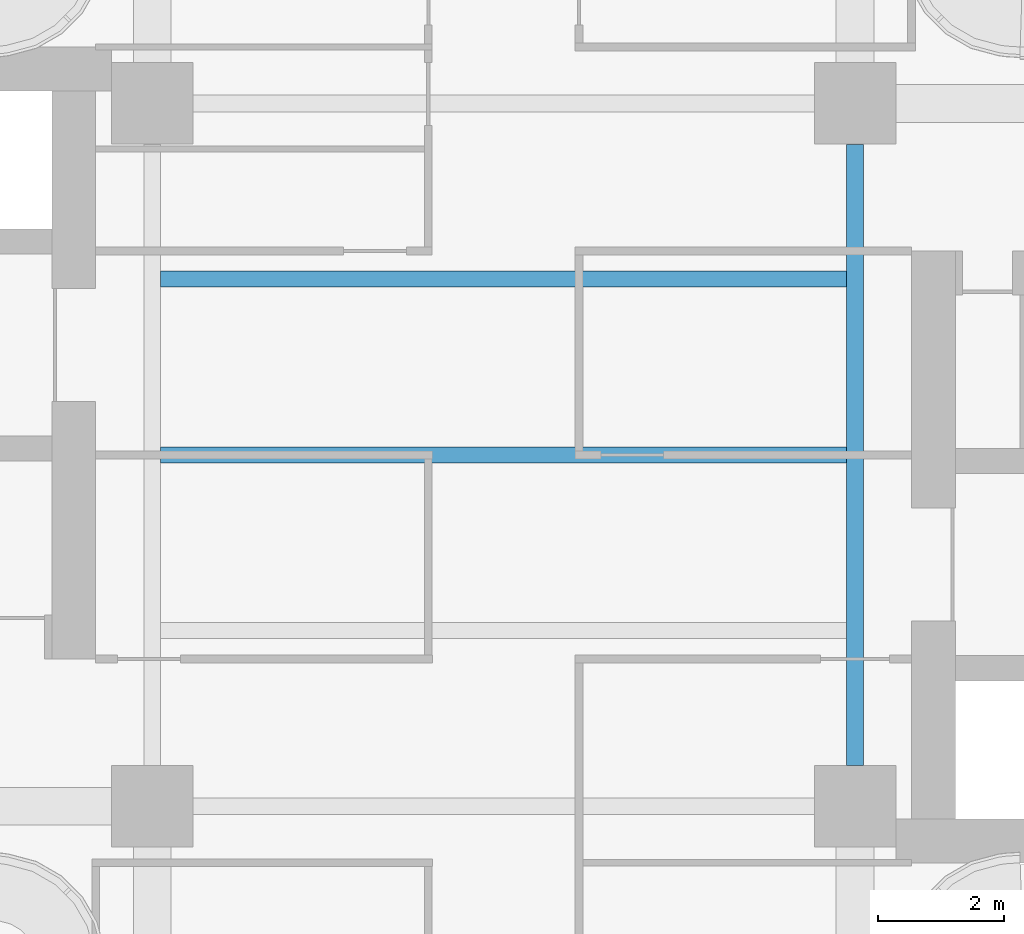
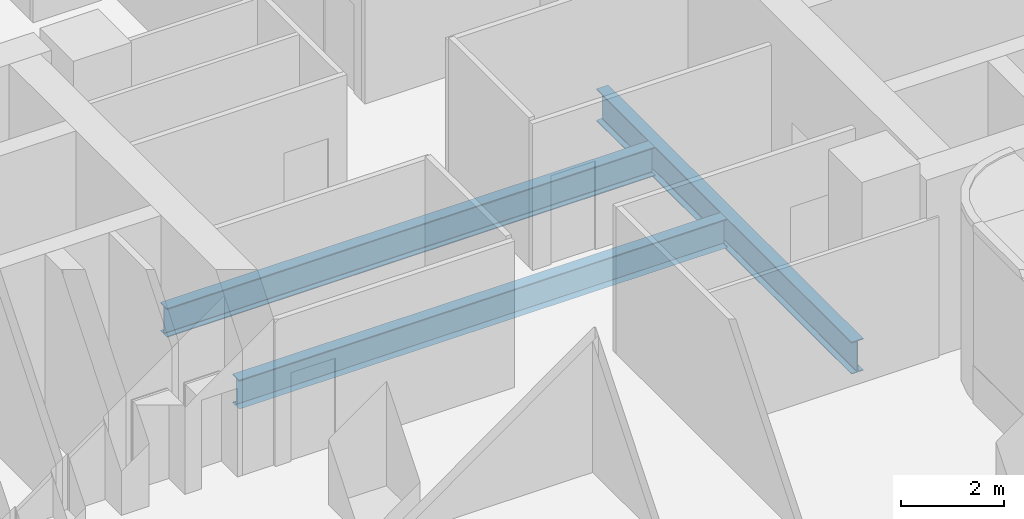
# One storey, part 6 of 21: 3 beams.
"""IFC4 building model written with IfcOpenShell, lengths in metres."""

from ifc_helpers import new_model, si_unit, direction, frame, origin, origin_2d, place, context, subcontext, project, spatial, i_section, extrude, source, transform, mapped, material, material_profile, profile_set, type_object, element, save


model = new_model("IFC4")

# Units and contexts
model_context = context("Model", 3, precision=1e-05, world=origin(), true_north=direction((0.0, 1.0)))
body_context = subcontext(model_context, "Body", "Model", "MODEL_VIEW")
ifc_project = project(units=[si_unit("LENGTHUNIT", "METRE"), si_unit("AREAUNIT", "SQUARE_METRE"), si_unit("VOLUMEUNIT", "CUBIC_METRE"), si_unit("PLANEANGLEUNIT", "RADIAN"), si_unit("MASSUNIT", "GRAM", prefix="KILO")], contexts=[model_context])

# Site, building, storey
site_placement = place(None, origin())
site = spatial("IfcSite", under=ifc_project, at=site_placement, CompositionType="ELEMENT")
building_placement = place(site_placement, origin())
building = spatial("IfcBuilding", under=site, at=building_placement, Name="Trellis Farm Tower", CompositionType="ELEMENT")
storey_placement = place(building_placement, frame((0.0, 0.0, 115.5)))
storey = spatial("IfcBuildingStorey", under=building, at=storey_placement, Name="L24", CompositionType="ELEMENT", Elevation=115.5)

# Beams
ifc_material = material(Name="Steel S355", Category="steel")
ifc_material_profile_1 = material_profile(ifc_material, i_section(OverallWidth=0.253662109375, OverallDepth=0.68359375, WebThickness=0.012451171875, FlangeThickness=0.021728515625, FilletRadius=0.01513671875, at=origin_2d()), Name="UB 686x254x140")
ifc_profile_set_1 = profile_set([ifc_material_profile_1], Name="Steel S355")
beam_type_1 = type_object("IfcBeamType", Name="UB 686x254x140 joist", PredefinedType="JOIST", material=ifc_profile_set_1)
shared_shape_1 = source(origin(), body_context, "Body", "SweptSolid", [
    extrude(i_section(OverallWidth=0.253662109375, OverallDepth=0.68359375, WebThickness=0.012451171875, FlangeThickness=0.021728515625, FilletRadius=0.01513671875, at=origin_2d()), origin(), (0.0, 0.0, 1.0), 10.93310546875),
])
for number, where, z_axis, x_axis, name in (
    (1, (-5.466552734375, 0.0, -0.591796875), (1.0, 0.0, 0.0), (0.0, 1.0, 0.0), "Floor beam"),
    (2, (-5.466552734375, 2.800048828125, -0.591796875), (1.0, 0.0, 0.0), (0.0, 1.0, 0.0), "Floor beam"),
):
    element("IfcBeam", number, at=place(storey_placement, frame(where, z_axis=z_axis, x_axis=x_axis)), inside=storey, type_object=beam_type_1, Name=name, PredefinedType="JOIST", context=body_context, shape_type="MappedRepresentation", body=[
        mapped(shared_shape_1, transform((0.0, 0.0, 0.0))),
    ])
ifc_material_profile_2 = material_profile(ifc_material, i_section(OverallWidth=0.2666015625, OverallDepth=0.76220703125, WebThickness=0.014404296875, FlangeThickness=0.021484375, FilletRadius=0.0166015625, at=origin_2d()), Name="UB 762x267x173")
ifc_profile_set_2 = profile_set([ifc_material_profile_2], Name="Steel S355")
beam_type_2 = type_object("IfcBeamType", Name="UB 762x267x173", PredefinedType="BEAM", material=ifc_profile_set_2)
shared_shape_2 = source(origin(), body_context, "Body", "SweptSolid", [
    extrude(i_section(OverallWidth=0.2666015625, OverallDepth=0.76220703125, WebThickness=0.014404296875, FlangeThickness=0.021484375, FilletRadius=0.0166015625, at=origin_2d()), origin(), (0.0, 0.0, 1.0), 9.89990234375),
])
beam_placement = place(storey_placement, frame((5.60009765625, -4.949951171875, -0.631103515625), z_axis=(0.0, 1.0, 0.0), x_axis=(-1.0, 0.0, 0.0)))
element("IfcBeam", 3, at=beam_placement, inside=storey, type_object=beam_type_2, Name="Girder", PredefinedType="BEAM", context=body_context, shape_type="MappedRepresentation", body=[
    mapped(shared_shape_2, transform((0.0, 0.0, 0.0))),
])

save(model, "model.ifc")
